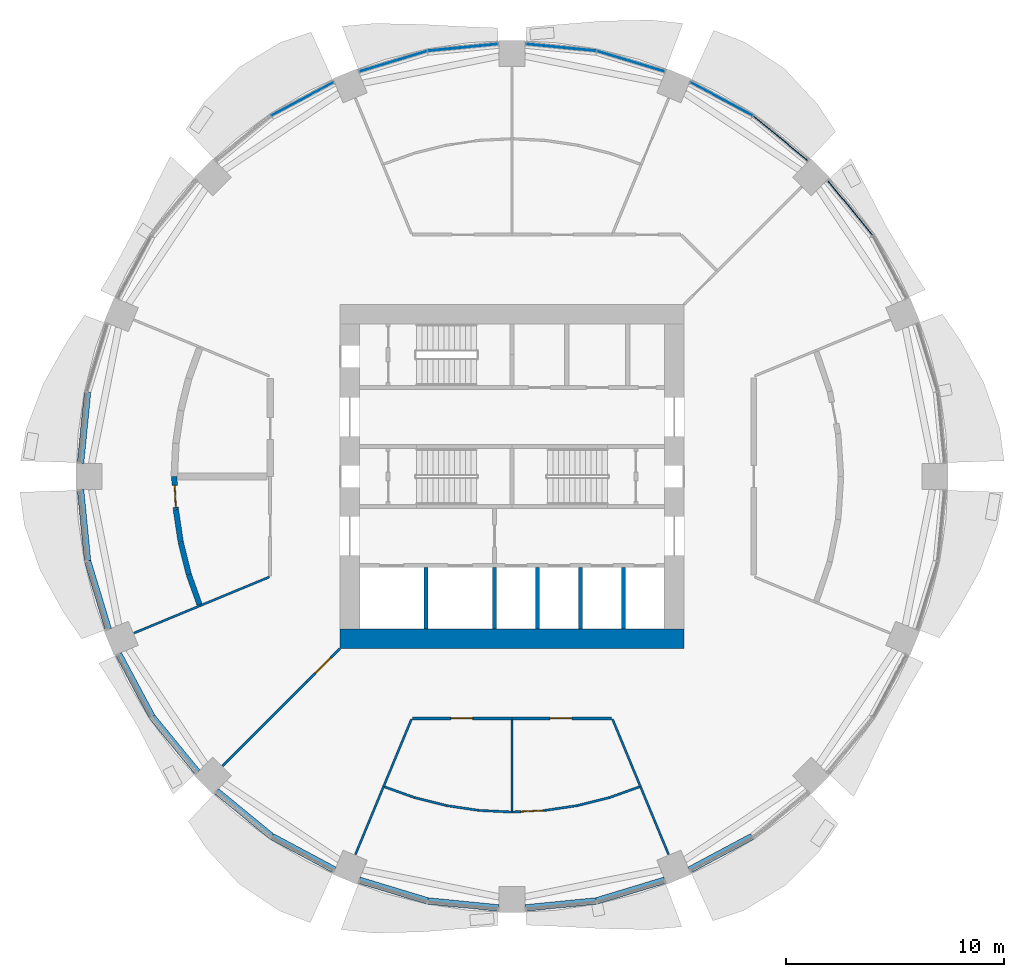
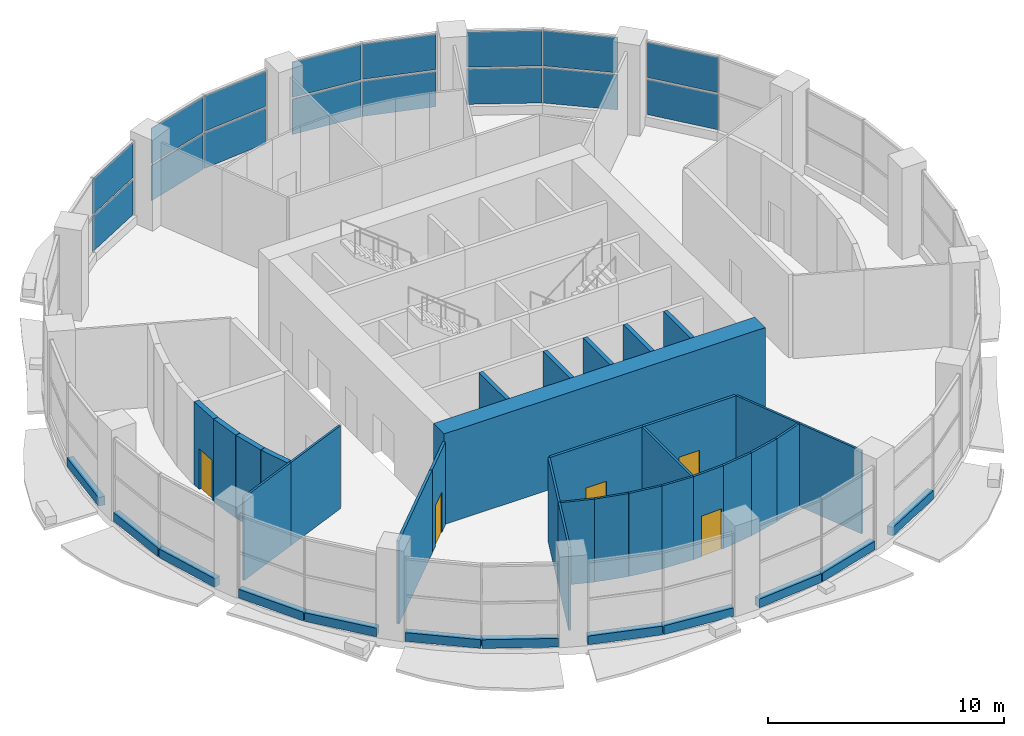
# One storey, part 7 of 14: 41 walls, 16 plates, 5 doors, 5 openings, 5 elements without a shape of their own.
"""IFC4 building model written with IfcOpenShell, lengths in metres."""

from ifc_helpers import new_model, si_unit, direction, frame, frame_2d, origin, origin_2d, place, context, subcontext, project, spatial, rectangle, extrude, material, layer, layer_set, type_object, element, fill, aggregate, save


model = new_model("IFC4")

# Units and contexts
model_context = context("Model", 3, precision=1e-05, world=origin(), true_north=direction((0.0, 1.0)))
body_context = subcontext(model_context, "Body", "Model", "MODEL_VIEW")
ifc_project = project(units=[si_unit("LENGTHUNIT", "METRE"), si_unit("AREAUNIT", "SQUARE_METRE"), si_unit("VOLUMEUNIT", "CUBIC_METRE"), si_unit("PLANEANGLEUNIT", "RADIAN"), si_unit("MASSUNIT", "GRAM", prefix="KILO")], contexts=[model_context])

# Site, building, storey
site_placement = place(None, origin())
site = spatial("IfcSite", under=ifc_project, at=site_placement, CompositionType="ELEMENT")
building_placement = place(site_placement, origin())
building = spatial("IfcBuilding", under=site, at=building_placement, Name="Polderwave Tower", CompositionType="ELEMENT")
storey_placement = place(building_placement, frame((0.0, 0.0, 5.199951171875)))
storey = spatial("IfcBuildingStorey", under=building, at=storey_placement, Name="L01", CompositionType="ELEMENT", Elevation=5.199951171875)

# Curtain wall, plates
ifc_material_1 = material(Name="Aluminium 6063-T6 and glass", Category="aluminium")
curtain_wall_type = type_object("IfcCurtainWallType", Name="Shopfront glazing wall", PredefinedType="NOTDEFINED", material=ifc_material_1)
curtain_wall_1_placement = place(storey_placement, origin())
curtain_wall_1 = element("IfcCurtainWall", 1, at=curtain_wall_1_placement, inside=storey, type_object=curtain_wall_type, Name="CW1 L01 01", PredefinedType="NOTDEFINED")
ifc_material_2 = material(Name="Glass, low-e laminated double glazing", Category="glass")
ifc_layer_1 = layer(ifc_material_2, 0.035888671875)
ifc_layer_set_1 = layer_set([ifc_layer_1], Name="Shopfront glazing glass panel 36 mm")
plate_type = type_object("IfcPlateType", Name="Shopfront glazing glass panel 36 mm", PredefinedType="CURTAIN_PANEL", material=ifc_layer_set_1)
plate_1_placement = place(storey_placement, frame((15.47900390625, 12.2939453125, 0.4501953125), z_axis=(0.0, 0.0, 1.0), x_axis=(-0.634395982475, 0.773008238908, 0.0)))
plate_1 = element("IfcPlate", 2, at=plate_1_placement, type_object=plate_type, Name="CW1 panel 3", PredefinedType="CURTAIN_PANEL", context=body_context, shape_type="SweptSolid", body=[
    extrude(rectangle(XDim=3.19970703125, YDim=0.035888671875, at=origin_2d()), origin(), (0.0, 0.0, 1.0), 1.824951171875),
])
plate_2_placement = place(storey_placement, frame((15.47900390625, 12.2939453125, 2.375), z_axis=(0.0, 0.0, 1.0), x_axis=(-0.634395982475, 0.773008238908, 0.0)))
plate_2 = element("IfcPlate", 3, at=plate_2_placement, type_object=plate_type, Name="CW1 panel 4", PredefinedType="CURTAIN_PANEL", context=body_context, shape_type="SweptSolid", body=[
    extrude(rectangle(XDim=3.19970703125, YDim=0.035888671875, at=origin_2d()), origin(), (0.0, 0.0, 1.0), 1.824951171875),
])
aggregate(curtain_wall_1, [plate_1, plate_2])

curtain_wall_2_placement = place(storey_placement, origin())
curtain_wall_2 = element("IfcCurtainWall", 4, at=curtain_wall_2_placement, inside=storey, type_object=curtain_wall_type, Name="CW1 L01 02", PredefinedType="NOTDEFINED")
plate_3_placement = place(storey_placement, frame((12.2939453125, 15.47900390625, 0.4501953125), z_axis=(0.0, 0.0, 1.0), x_axis=(-0.773008238908, 0.634395982475, 0.0)))
plate_3 = element("IfcPlate", 5, at=plate_3_placement, type_object=plate_type, Name="CW1 panel 1", PredefinedType="CURTAIN_PANEL", context=body_context, shape_type="SweptSolid", body=[
    extrude(rectangle(XDim=3.19970703125, YDim=0.035888671875, at=origin_2d()), origin(), (0.0, 0.0, 1.0), 1.824951171875),
])
plate_4_placement = place(storey_placement, frame((12.2939453125, 15.47900390625, 2.375), z_axis=(0.0, 0.0, 1.0), x_axis=(-0.773008238908, 0.634395982475, 0.0)))
plate_4 = element("IfcPlate", 6, at=plate_4_placement, type_object=plate_type, Name="CW1 panel 2", PredefinedType="CURTAIN_PANEL", context=body_context, shape_type="SweptSolid", body=[
    extrude(rectangle(XDim=3.19970703125, YDim=0.035888671875, at=origin_2d()), origin(), (0.0, 0.0, 1.0), 1.824951171875),
])
plate_5_placement = place(storey_placement, frame((9.59619140625, 17.281494140625, 0.4501953125), z_axis=(0.0, 0.0, 1.0), x_axis=(-0.881940186716, 0.471361333858, 0.0)))
plate_5 = element("IfcPlate", 7, at=plate_5_placement, type_object=plate_type, Name="CW1 panel 3", PredefinedType="CURTAIN_PANEL", context=body_context, shape_type="SweptSolid", body=[
    extrude(rectangle(XDim=3.200439453125, YDim=0.035888671875, at=origin_2d()), origin(), (0.0, 0.0, 1.0), 1.824951171875),
])
plate_6_placement = place(storey_placement, frame((9.59619140625, 17.281494140625, 2.375), z_axis=(0.0, 0.0, 1.0), x_axis=(-0.881940186716, 0.471361333858, 0.0)))
plate_6 = element("IfcPlate", 8, at=plate_6_placement, type_object=plate_type, Name="CW1 panel 4", PredefinedType="CURTAIN_PANEL", context=body_context, shape_type="SweptSolid", body=[
    extrude(rectangle(XDim=3.200439453125, YDim=0.035888671875, at=origin_2d()), origin(), (0.0, 0.0, 1.0), 1.824951171875),
])
aggregate(curtain_wall_2, [plate_3, plate_4, plate_5, plate_6])

curtain_wall_3_placement = place(storey_placement, origin())
curtain_wall_3 = element("IfcCurtainWall", 9, at=curtain_wall_3_placement, inside=storey, type_object=curtain_wall_type, Name="CW1 L01 03", PredefinedType="NOTDEFINED")
plate_7_placement = place(storey_placement, frame((5.43408203125, 19.0048828125, 0.4501953125), z_axis=(0.0, 0.0, 1.0), x_axis=(-0.956960599094, 0.290217869509, 0.0)))
plate_7 = element("IfcPlate", 10, at=plate_7_placement, type_object=plate_type, Name="CW1 panel 1", PredefinedType="CURTAIN_PANEL", context=body_context, shape_type="SweptSolid", body=[
    extrude(rectangle(XDim=3.20068359375, YDim=0.035888671875, at=origin_2d()), origin(), (0.0, 0.0, 1.0), 1.824951171875),
])
plate_8_placement = place(storey_placement, frame((5.43408203125, 19.0048828125, 2.375), z_axis=(0.0, 0.0, 1.0), x_axis=(-0.956960599094, 0.290217869509, 0.0)))
plate_8 = element("IfcPlate", 11, at=plate_8_placement, type_object=plate_type, Name="CW1 panel 2", PredefinedType="CURTAIN_PANEL", context=body_context, shape_type="SweptSolid", body=[
    extrude(rectangle(XDim=3.20068359375, YDim=0.035888671875, at=origin_2d()), origin(), (0.0, 0.0, 1.0), 1.824951171875),
])
plate_9_placement = place(storey_placement, frame((2.251953125, 19.637939453125, 0.4501953125), z_axis=(0.0, 0.0, 1.0), x_axis=(-0.99516880385, 0.098178673064, 0.0)))
plate_9 = element("IfcPlate", 12, at=plate_9_placement, type_object=plate_type, Name="CW1 panel 3", PredefinedType="CURTAIN_PANEL", context=body_context, shape_type="SweptSolid", body=[
    extrude(rectangle(XDim=3.199951171875, YDim=0.035888671875, at=origin_2d()), origin(), (0.0, 0.0, 1.0), 1.824951171875),
])
plate_10_placement = place(storey_placement, frame((2.251953125, 19.637939453125, 2.375), z_axis=(0.0, 0.0, 1.0), x_axis=(-0.99516880385, 0.098178673064, 0.0)))
plate_10 = element("IfcPlate", 13, at=plate_10_placement, type_object=plate_type, Name="CW1 panel 4", PredefinedType="CURTAIN_PANEL", context=body_context, shape_type="SweptSolid", body=[
    extrude(rectangle(XDim=3.199951171875, YDim=0.035888671875, at=origin_2d()), origin(), (0.0, 0.0, 1.0), 1.824951171875),
])
aggregate(curtain_wall_3, [plate_7, plate_8, plate_9, plate_10])

curtain_wall_4_placement = place(storey_placement, origin())
curtain_wall_4 = element("IfcCurtainWall", 14, at=curtain_wall_4_placement, inside=storey, type_object=curtain_wall_type, Name="CW1 L01 04", PredefinedType="NOTDEFINED")
plate_11_placement = place(storey_placement, frame((-2.251953125, 19.637939453125, 0.4501953125), z_axis=(0.0, 0.0, 1.0), x_axis=(-0.99516880385, -0.098178673064, 0.0)))
plate_11 = element("IfcPlate", 15, at=plate_11_placement, type_object=plate_type, Name="CW1 panel 1", PredefinedType="CURTAIN_PANEL", context=body_context, shape_type="SweptSolid", body=[
    extrude(rectangle(XDim=3.199951171875, YDim=0.035888671875, at=origin_2d()), origin(), (0.0, 0.0, 1.0), 1.824951171875),
])
plate_12_placement = place(storey_placement, frame((-2.251953125, 19.637939453125, 2.375), z_axis=(0.0, 0.0, 1.0), x_axis=(-0.99516880385, -0.098178673064, 0.0)))
plate_12 = element("IfcPlate", 16, at=plate_12_placement, type_object=plate_type, Name="CW1 panel 2", PredefinedType="CURTAIN_PANEL", context=body_context, shape_type="SweptSolid", body=[
    extrude(rectangle(XDim=3.199951171875, YDim=0.035888671875, at=origin_2d()), origin(), (0.0, 0.0, 1.0), 1.824951171875),
])
plate_13_placement = place(storey_placement, frame((-5.43408203125, 19.0048828125, 0.4501953125), z_axis=(0.0, 0.0, 1.0), x_axis=(-0.956960599094, -0.290217869509, 0.0)))
plate_13 = element("IfcPlate", 17, at=plate_13_placement, type_object=plate_type, Name="CW1 panel 3", PredefinedType="CURTAIN_PANEL", context=body_context, shape_type="SweptSolid", body=[
    extrude(rectangle(XDim=3.20068359375, YDim=0.035888671875, at=origin_2d()), origin(), (0.0, 0.0, 1.0), 1.824951171875),
])
plate_14_placement = place(storey_placement, frame((-5.43408203125, 19.0048828125, 2.375), z_axis=(0.0, 0.0, 1.0), x_axis=(-0.956960599094, -0.290217869509, 0.0)))
plate_14 = element("IfcPlate", 18, at=plate_14_placement, type_object=plate_type, Name="CW1 panel 4", PredefinedType="CURTAIN_PANEL", context=body_context, shape_type="SweptSolid", body=[
    extrude(rectangle(XDim=3.20068359375, YDim=0.035888671875, at=origin_2d()), origin(), (0.0, 0.0, 1.0), 1.824951171875),
])
aggregate(curtain_wall_4, [plate_11, plate_12, plate_13, plate_14])

curtain_wall_5_placement = place(storey_placement, origin())
curtain_wall_5 = element("IfcCurtainWall", 19, at=curtain_wall_5_placement, inside=storey, type_object=curtain_wall_type, Name="CW1 L01 05", PredefinedType="NOTDEFINED")
plate_15_placement = place(storey_placement, frame((-9.59619140625, 17.281494140625, 0.4501953125), z_axis=(0.0, 0.0, 1.0), x_axis=(-0.881940186716, -0.471361333858, 0.0)))
plate_15 = element("IfcPlate", 20, at=plate_15_placement, type_object=plate_type, Name="CW1 panel 1", PredefinedType="CURTAIN_PANEL", context=body_context, shape_type="SweptSolid", body=[
    extrude(rectangle(XDim=3.200439453125, YDim=0.035888671875, at=origin_2d()), origin(), (0.0, 0.0, 1.0), 1.824951171875),
])
plate_16_placement = place(storey_placement, frame((-9.59619140625, 17.281494140625, 2.375), z_axis=(0.0, 0.0, 1.0), x_axis=(-0.881940186716, -0.471361333858, 0.0)))
plate_16 = element("IfcPlate", 21, at=plate_16_placement, type_object=plate_type, Name="CW1 panel 2", PredefinedType="CURTAIN_PANEL", context=body_context, shape_type="SweptSolid", body=[
    extrude(rectangle(XDim=3.200439453125, YDim=0.035888671875, at=origin_2d()), origin(), (0.0, 0.0, 1.0), 1.824951171875),
])
aggregate(curtain_wall_5, [plate_15, plate_16])

# Walls
ifc_material_3 = material(Name="Concrete C80/95", Category="concrete")
ifc_layer_2 = layer(ifc_material_3, 0.89990234375)
ifc_layer_set_2 = layer_set([ifc_layer_2], Name="CORE WALL 900 C80/95")
wall_type_1 = type_object("IfcWallType", Name="CORE WALL 900 C80/95", PredefinedType="SHEAR", material=ifc_layer_set_2)
wall_1_placement = place(storey_placement, frame((-7.8740234375, -7.424072265625, 0.0), z_axis=(0.0, 0.0, 1.0), x_axis=(1.0, 0.0, 0.0)))
element("IfcWall", 22, at=wall_1_placement, inside=storey, type_object=wall_type_1, Name="ST-CORE-L01-S", PredefinedType="SHEAR", context=body_context, shape_type="SweptSolid", body=[
    extrude(rectangle(XDim=15.748046875, YDim=0.89990234375, at=frame_2d((7.8740234375, 0.0))), origin(), (0.0, 0.0, 1.0), 4.699951171875),
])
ifc_material_4 = material(Name="Concrete C50/60 (board-marked)", Category="concrete")
ifc_layer_3 = layer(ifc_material_4, 0.300048828125)
ifc_layer_set_3 = layer_set([ifc_layer_3], Name="Concrete spandrel upstand C50/60")
wall_type_2 = type_object("IfcWallType", Name="Concrete spandrel upstand C50/60", PredefinedType="SOLIDWALL", material=ifc_layer_set_3)
for number, where, z_axis, x_axis, name in (
    (23, (-19.430419921875, 3.84912109375, 0.0), (0.0, 0.0, 1.0), (-0.098121081057, -0.995174483923, 0.0), "Spandrel L01 8b"),
    (24, (-19.74951171875, -0.61279296875, 0.0), (0.0, 0.0, 1.0), (0.098121081057, -0.995174483923, 0.0), "Spandrel L01 9a"),
):
    element("IfcWall", number, at=place(storey_placement, frame(where, z_axis=z_axis, x_axis=x_axis)), inside=storey, type_object=wall_type_2, Name=name, PredefinedType="SOLIDWALL", context=body_context, shape_type="SweptSolid", body=[
        extrude(rectangle(XDim=3.251953125, YDim=0.300048828125, at=frame_2d((1.6259765625, 0.0))), origin(), (0.0, 0.0, 1.0), 0.449951171875),
    ])
wall_2_placement = place(storey_placement, frame((-19.424560546875, -3.87841796875, 0.0), z_axis=(0.0, 0.0, 1.0), x_axis=(0.290301164038, -0.956935334366, 0.0)))
element("IfcWall", 25, at=wall_2_placement, inside=storey, type_object=wall_type_2, Name="Spandrel L01 9b", PredefinedType="SOLIDWALL", context=body_context, shape_type="SweptSolid", body=[
    extrude(rectangle(XDim=3.252197265625, YDim=0.300048828125, at=frame_2d((1.6259765625, 0.0))), origin(), (0.0, 0.0, 1.0), 0.449951171875),
])
wall_3_placement = place(storey_placement, frame((-18.010986328125, -8.124267578125, 0.0), z_axis=(0.0, 0.0, 1.0), x_axis=(0.471308820961, -0.881968250723, 0.0)))
element("IfcWall", 26, at=wall_3_placement, inside=storey, type_object=wall_type_2, Name="Spandrel L01 10a", PredefinedType="SOLIDWALL", context=body_context, shape_type="SweptSolid", body=[
    extrude(rectangle(XDim=3.25244140625, YDim=0.300048828125, at=frame_2d((1.626220703125, 0.0))), origin(), (0.0, 0.0, 1.0), 0.449951171875),
])
for number, where, z_axis, x_axis, name in (
    (27, (-16.46142578125, -11.017578125, 0.0), (0.0, 0.0, 1.0), (0.634190031119, -0.773177214117, 0.0), "Spandrel L01 10b"),
    (28, (-13.531494140625, -14.3994140625, 0.0), (0.0, 0.0, 1.0), (0.773177214117, -0.634190031119, 0.0), "Spandrel L01 11a"),
):
    element("IfcWall", number, at=place(storey_placement, frame(where, z_axis=z_axis, x_axis=x_axis)), inside=storey, type_object=wall_type_2, Name=name, PredefinedType="SOLIDWALL", context=body_context, shape_type="SweptSolid", body=[
        extrude(rectangle(XDim=3.25146484375, YDim=0.300048828125, at=frame_2d((1.625732421875, 0.0))), origin(), (0.0, 0.0, 1.0), 0.449951171875),
    ])
wall_4_placement = place(storey_placement, frame((-10.992919921875, -16.47802734375, 0.0), z_axis=(0.0, 0.0, 1.0), x_axis=(0.881968250723, -0.471308820961, 0.0)))
element("IfcWall", 29, at=wall_4_placement, inside=storey, type_object=wall_type_2, Name="Spandrel L01 11b", PredefinedType="SOLIDWALL", context=body_context, shape_type="SweptSolid", body=[
    extrude(rectangle(XDim=3.25244140625, YDim=0.300048828125, at=frame_2d((1.626220703125, 0.0))), origin(), (0.0, 0.0, 1.0), 0.449951171875),
])
wall_5_placement = place(storey_placement, frame((-6.990478515625, -18.48046875, 0.0), z_axis=(0.0, 0.0, 1.0), x_axis=(0.956935334366, -0.290301164038, 0.0)))
element("IfcWall", 30, at=wall_5_placement, inside=storey, type_object=wall_type_2, Name="Spandrel L01 12a", PredefinedType="SOLIDWALL", context=body_context, shape_type="SweptSolid", body=[
    extrude(rectangle(XDim=3.252197265625, YDim=0.300048828125, at=frame_2d((1.6259765625, 0.0))), origin(), (0.0, 0.0, 1.0), 0.449951171875),
])
for number, where, z_axis, x_axis, name in (
    (31, (-3.84912109375, -19.430419921875, 0.0), (0.0, 0.0, 1.0), (0.995174483923, -0.098121081057, 0.0), "Spandrel L01 12b"),
    (32, (0.61279296875, -19.74951171875, 0.0), (0.0, 0.0, 1.0), (0.995174483923, 0.098121081057, 0.0), "Spandrel L01 13a"),
):
    element("IfcWall", number, at=place(storey_placement, frame(where, z_axis=z_axis, x_axis=x_axis)), inside=storey, type_object=wall_type_2, Name=name, PredefinedType="SOLIDWALL", context=body_context, shape_type="SweptSolid", body=[
        extrude(rectangle(XDim=3.251953125, YDim=0.300048828125, at=frame_2d((1.6259765625, 0.0))), origin(), (0.0, 0.0, 1.0), 0.449951171875),
    ])
wall_6_placement = place(storey_placement, frame((3.87841796875, -19.424560546875, 0.0), z_axis=(0.0, 0.0, 1.0), x_axis=(0.956935334366, 0.290301164038, 0.0)))
element("IfcWall", 33, at=wall_6_placement, inside=storey, type_object=wall_type_2, Name="Spandrel L01 13b", PredefinedType="SOLIDWALL", context=body_context, shape_type="SweptSolid", body=[
    extrude(rectangle(XDim=3.252197265625, YDim=0.300048828125, at=frame_2d((1.6259765625, 0.0))), origin(), (0.0, 0.0, 1.0), 0.449951171875),
])
wall_7_placement = place(storey_placement, frame((8.124267578125, -18.010986328125, 0.0), z_axis=(0.0, 0.0, 1.0), x_axis=(0.881968250723, 0.471308820961, 0.0)))
element("IfcWall", 34, at=wall_7_placement, inside=storey, type_object=wall_type_2, Name="Spandrel L01 14a", PredefinedType="SOLIDWALL", context=body_context, shape_type="SweptSolid", body=[
    extrude(rectangle(XDim=3.25244140625, YDim=0.300048828125, at=frame_2d((1.626220703125, 0.0))), origin(), (0.0, 0.0, 1.0), 0.449951171875),
])

# Wall, opening, door
ifc_material_5 = material(Name="Fire-resisting board on steel studs", Category="steel")
ifc_layer_4 = layer(ifc_material_5, 0.125)
ifc_layer_set_4 = layer_set([ifc_layer_4], Name="Corridor wall 125 mm EI 60")
wall_type_3 = type_object("IfcWallType", Name="Corridor wall 125 mm EI 60", PredefinedType="PARTITIONING", material=ifc_layer_set_4)
wall_8_placement = place(storey_placement, frame((-7.8740234375, -7.8740234375, 0.0), z_axis=(0.0, 0.0, 1.0), x_axis=(-0.707106781187, -0.707106781187, 0.0)))
wall_8 = element("IfcWall", 35, at=wall_8_placement, inside=storey, type_object=wall_type_3, Name="IN-L01-W007", PredefinedType="PARTITIONING", context=body_context, shape_type="SweptSolid", body=[
    extrude(rectangle(XDim=2.16455078125, YDim=0.125, at=frame_2d((1.082275390625, 0.0))), origin(), (0.0, 0.0, 1.0), 4.300048828125),
])
opening_1_placement = place(wall_8_placement, frame((0.60009765625, 0.0, 0.0)))
opening_1 = element("IfcOpeningElement", 36, at=opening_1_placement, cuts=wall_8, Name="Opening L01-D55", PredefinedType="OPENING", context=body_context, shape_type="SweptSolid", body=[
    extrude(rectangle(XDim=1.0, YDim=2.10009765625, at=frame_2d((0.5, 1.050048828125))), frame((0.0, 0.072509765625, 0.0), z_axis=(0.0, -1.0, 0.0), x_axis=(1.0, 0.0, 0.0)), (0.0, 0.0, 1.0), 0.14501953125),
])
ifc_material_6 = material(Name="Timber fire door leaf", Category="wood")
door_type_1 = type_object("IfcDoorType", Name="Fire door FD30S 1000 x 2100", OperationType="NOTDEFINED", PredefinedType="DOOR", material=ifc_material_6)
door_1_placement = place(opening_1_placement, origin())
door_1 = element("IfcDoor", 37, at=door_1_placement, inside=storey, type_object=door_type_1, Name="Door L01-D55", OperationType="SINGLE_SWING_RIGHT", OverallHeight=2.10009765625, OverallWidth=1.0, PredefinedType="DOOR", context=body_context, shape_type="SweptSolid", body=[
    extrude(rectangle(XDim=1.0, YDim=2.10009765625, at=frame_2d((0.5, 1.050048828125))), frame((0.0, 0.02490234375, 0.0), z_axis=(0.0, -1.0, 0.0), x_axis=(1.0, 0.0, 0.0)), (0.0, 0.0, 1.0), 0.050048828125),
])
fill(opening_1, door_1)

wall_9_placement = place(storey_placement, frame((0.0, -11.073974609375, 0.0), z_axis=(0.0, 0.0, 1.0), x_axis=(-1.0, 0.0, 0.0)))
wall_9 = element("IfcWall", 38, at=wall_9_placement, inside=storey, type_object=wall_type_3, Name="IN-L01-W010", PredefinedType="PARTITIONING", context=body_context, shape_type="SweptSolid", body=[
    extrude(rectangle(XDim=4.545166015625, YDim=0.125, at=frame_2d((2.2724609375, 0.0))), origin(), (0.0, 0.0, 1.0), 4.300048828125),
])
opening_2_placement = place(wall_9_placement, frame((1.800048828125, 0.0, 0.0)))
opening_2 = element("IfcOpeningElement", 39, at=opening_2_placement, cuts=wall_9, Name="Opening L01-D58", PredefinedType="OPENING", context=body_context, shape_type="SweptSolid", body=[
    extrude(rectangle(XDim=1.0, YDim=2.10009765625, at=frame_2d((0.5, 1.050048828125))), frame((0.0, 0.072509765625, 0.0), z_axis=(0.0, -1.0, 0.0), x_axis=(1.0, 0.0, 0.0)), (0.0, 0.0, 1.0), 0.14501953125),
])
door_2_placement = place(opening_2_placement, origin())
door_2 = element("IfcDoor", 40, at=door_2_placement, inside=storey, type_object=door_type_1, Name="Door L01-D58", OperationType="SINGLE_SWING_RIGHT", OverallHeight=2.10009765625, OverallWidth=1.0, PredefinedType="DOOR", context=body_context, shape_type="SweptSolid", body=[
    extrude(rectangle(XDim=1.0, YDim=2.10009765625, at=frame_2d((0.5, 1.050048828125))), frame((0.0, 0.02490234375, 0.0), z_axis=(0.0, -1.0, 0.0), x_axis=(1.0, 0.0, 0.0)), (0.0, 0.0, 1.0), 0.050048828125),
])
fill(opening_2, door_2)

wall_10_placement = place(storey_placement, frame((4.545166015625, -11.073974609375, 0.0), z_axis=(0.0, 0.0, 1.0), x_axis=(-1.0, 0.0, 0.0)))
wall_10 = element("IfcWall", 41, at=wall_10_placement, inside=storey, type_object=wall_type_3, Name="IN-L01-W011", PredefinedType="PARTITIONING", context=body_context, shape_type="SweptSolid", body=[
    extrude(rectangle(XDim=4.545166015625, YDim=0.125, at=frame_2d((2.2724609375, 0.0))), origin(), (0.0, 0.0, 1.0), 4.300048828125),
])
opening_3_placement = place(wall_10_placement, frame((1.800048828125, 0.0, 0.0)))
opening_3 = element("IfcOpeningElement", 42, at=opening_3_placement, cuts=wall_10, Name="Opening L01-D59", PredefinedType="OPENING", context=body_context, shape_type="SweptSolid", body=[
    extrude(rectangle(XDim=1.0, YDim=2.10009765625, at=frame_2d((0.5, 1.050048828125))), frame((0.0, 0.072509765625, 0.0), z_axis=(0.0, -1.0, 0.0), x_axis=(1.0, 0.0, 0.0)), (0.0, 0.0, 1.0), 0.14501953125),
])
door_3_placement = place(opening_3_placement, origin())
door_3 = element("IfcDoor", 43, at=door_3_placement, inside=storey, type_object=door_type_1, Name="Door L01-D59", OperationType="SINGLE_SWING_RIGHT", OverallHeight=2.10009765625, OverallWidth=1.0, PredefinedType="DOOR", context=body_context, shape_type="SweptSolid", body=[
    extrude(rectangle(XDim=1.0, YDim=2.10009765625, at=frame_2d((0.5, 1.050048828125))), frame((0.0, 0.02490234375, 0.0), z_axis=(0.0, -1.0, 0.0), x_axis=(1.0, 0.0, 0.0)), (0.0, 0.0, 1.0), 0.050048828125),
])
fill(opening_3, door_3)

# Walls
wall_11_placement = place(storey_placement, frame((-9.404541015625, -9.404541015625, 0.0), z_axis=(0.0, 0.0, 1.0), x_axis=(-0.707106781187, -0.707106781187, 0.0)))
element("IfcWall", 44, at=wall_11_placement, inside=storey, type_object=wall_type_3, Name="IN-L01-W050", PredefinedType="PARTITIONING", context=body_context, shape_type="SweptSolid", body=[
    extrude(rectangle(XDim=5.429931640625, YDim=0.125, at=frame_2d((2.71484375, 0.0))), origin(), (0.0, 0.0, 1.0), 4.300048828125),
])
ifc_material_7 = material(Name="Plasterboard on steel studs", Category="steel")
ifc_layer_5 = layer(ifc_material_7, 0.10009765625)
ifc_layer_set_5 = layer_set([ifc_layer_5], Name="Partition 100 mm plasterboard on steel studs")
wall_type_4 = type_object("IfcWallType", Name="Partition 100 mm plasterboard on steel studs", PredefinedType="PARTITIONING", material=ifc_layer_set_5)
wall_12_placement = place(storey_placement, frame((-11.10498046875, -4.599853515625, 0.0), z_axis=(0.0, 0.0, 1.0), x_axis=(-0.92388535755, -0.382669369174, 0.0)))
element("IfcWall", 45, at=wall_12_placement, inside=storey, type_object=wall_type_4, Name="IN-L01-W048", PredefinedType="PARTITIONING", context=body_context, shape_type="SweptSolid", body=[
    extrude(rectangle(XDim=3.43994140625, YDim=0.10009765625, at=frame_2d((1.719970703125, 0.0))), origin(), (0.0, 0.0, 1.0), 4.300048828125),
])
wall_13_placement = place(storey_placement, frame((-14.283203125, -5.916259765625, 0.0), z_axis=(0.0, 0.0, 1.0), x_axis=(-0.923865769093, -0.382716658507, 0.0)))
element("IfcWall", 46, at=wall_13_placement, inside=storey, type_object=wall_type_4, Name="IN-L01-W049", PredefinedType="PARTITIONING", context=body_context, shape_type="SweptSolid", body=[
    extrude(rectangle(XDim=3.27001953125, YDim=0.10009765625, at=frame_2d((1.635009765625, 0.0))), origin(), (0.0, 0.0, 1.0), 4.300048828125),
])
wall_14_placement = place(storey_placement, frame((-4.599853515625, -11.10498046875, 0.0), z_axis=(0.0, 0.0, 1.0), x_axis=(-0.382642291007, -0.923896572747, 0.0)))
element("IfcWall", 47, at=wall_14_placement, inside=storey, type_object=wall_type_4, Name="IN-L01-W051", PredefinedType="PARTITIONING", context=body_context, shape_type="SweptSolid", body=[
    extrude(rectangle(XDim=3.340087890625, YDim=0.10009765625, at=frame_2d((1.669921875, 0.0))), origin(), (0.0, 0.0, 1.0), 4.300048828125),
])
for number, where, z_axis, x_axis, name in (
    (48, (-5.8779296875, -14.19091796875, 0.0), (0.0, 0.0, 1.0), (-0.382742094492, -0.923855231681, 0.0), "IN-L01-W052"),
    (49, (5.8779296875, -14.19091796875, 0.0), (0.0, 0.0, 1.0), (0.382742094492, -0.923855231681, 0.0), "IN-L01-W062"),
):
    element("IfcWall", number, at=place(storey_placement, frame(where, z_axis=z_axis, x_axis=x_axis)), inside=storey, type_object=wall_type_4, Name=name, PredefinedType="PARTITIONING", context=body_context, shape_type="SweptSolid", body=[
        extrude(rectangle(XDim=3.369873046875, YDim=0.10009765625, at=frame_2d((1.68505859375, 0.0))), origin(), (0.0, 0.0, 1.0), 4.300048828125),
    ])
wall_15_placement = place(storey_placement, frame((4.599853515625, -11.10498046875, 0.0), z_axis=(0.0, 0.0, 1.0), x_axis=(0.382642291007, -0.923896572747, 0.0)))
element("IfcWall", 50, at=wall_15_placement, inside=storey, type_object=wall_type_4, Name="IN-L01-W063", PredefinedType="PARTITIONING", context=body_context, shape_type="SweptSolid", body=[
    extrude(rectangle(XDim=3.340087890625, YDim=0.10009765625, at=frame_2d((1.669921875, 0.0))), origin(), (0.0, 0.0, 1.0), 4.300048828125),
])
ifc_material_8 = material(Name="Moisture-resistant board on steel studs, tiled", Category="steel")
ifc_layer_6 = layer(ifc_material_8, 0.10498046875)
ifc_layer_set_6 = layer_set([ifc_layer_6], Name="Partition 105 mm wet room board and tile")
wall_type_5 = type_object("IfcWallType", Name="Partition 105 mm wet room board and tile", PredefinedType="PARTITIONING", material=ifc_layer_set_6)
wall_16_placement = place(storey_placement, frame((-4.461181640625, -14.69775390625, 0.0), z_axis=(0.0, 0.0, 1.0), x_axis=(-0.941528707174, 0.336932773067, 0.0)))
element("IfcWall", 51, at=wall_16_placement, inside=storey, type_object=wall_type_5, Name="IN-L01-W053", PredefinedType="PARTITIONING", context=body_context, shape_type="SweptSolid", body=[
    extrude(rectangle(XDim=1.4521484375, YDim=0.10498046875, at=frame_2d((0.72607421875, 0.0))), origin(), (0.0, 0.0, 1.0), 4.300048828125),
])
for number, where, z_axis, x_axis, name in (
    (52, (-2.9990234375, -15.064208984375, 0.0), (0.0, 0.0, 1.0), (-0.9700372538, 0.24295622289, 0.0), "IN-L01-W054"),
    (53, (-1.508056640625, -15.28564453125, 0.0), (0.0, 0.0, 1.0), (-0.989171150063, 0.146766603435, 0.0), "IN-L01-W055"),
):
    element("IfcWall", number, at=place(storey_placement, frame(where, z_axis=z_axis, x_axis=x_axis)), inside=storey, type_object=wall_type_5, Name=name, PredefinedType="PARTITIONING", context=body_context, shape_type="SweptSolid", body=[
        extrude(rectangle(XDim=1.502197265625, YDim=0.10498046875, at=frame_2d((0.7509765625, 0.0))), origin(), (0.0, 0.0, 1.0), 4.300048828125),
    ])
wall_17_placement = place(storey_placement, frame((0.0, -15.360107421875, 0.0), z_axis=(0.0, 0.0, 1.0), x_axis=(-0.998790878869, 0.049160759632, 0.0)))
element("IfcWall", 54, at=wall_17_placement, inside=storey, type_object=wall_type_5, Name="IN-L01-W056", PredefinedType="PARTITIONING", context=body_context, shape_type="SweptSolid", body=[
    extrude(rectangle(XDim=1.504638671875, YDim=0.10498046875, at=frame_2d((0.75244140625, 0.0))), origin(), (0.0, 0.0, 1.0), 4.300048828125),
])
wall_18_placement = place(storey_placement, frame((0.0, -11.136474609375, 0.0), z_axis=(0.0, 0.0, 1.0), x_axis=(0.0, -1.0, 0.0)))
element("IfcWall", 55, at=wall_18_placement, inside=storey, type_object=wall_type_5, Name="IN-L01-W057", PredefinedType="PARTITIONING", context=body_context, shape_type="SweptSolid", body=[
    extrude(rectangle(XDim=4.16845703125, YDim=0.10498046875, at=frame_2d((2.084228515625, 0.0))), origin(), (0.0, 0.0, 1.0), 4.300048828125),
])

# Wall, opening, door
wall_19_placement = place(storey_placement, frame((1.5029296875, -15.2861328125, 0.0), z_axis=(0.0, 0.0, 1.0), x_axis=(-0.998790878869, -0.049160759632, 0.0)))
wall_19 = element("IfcWall", 56, at=wall_19_placement, inside=storey, type_object=wall_type_5, Name="IN-L01-W058", PredefinedType="PARTITIONING", context=body_context, shape_type="SweptSolid", body=[
    extrude(rectangle(XDim=1.504638671875, YDim=0.10498046875, at=frame_2d((0.75244140625, 0.0))), origin(), (0.0, 0.0, 1.0), 4.300048828125),
])
opening_4_placement = place(wall_19_placement, frame((0.10009765625, 0.0, 0.0)))
opening_4 = element("IfcOpeningElement", 57, at=opening_4_placement, cuts=wall_19, Name="Opening L01-D64", PredefinedType="OPENING", context=body_context, shape_type="SweptSolid", body=[
    extrude(rectangle(XDim=1.0, YDim=2.10009765625, at=frame_2d((0.5, 1.050048828125))), frame((0.0, 0.0625, 0.0), z_axis=(0.0, -1.0, 0.0), x_axis=(1.0, 0.0, 0.0)), (0.0, 0.0, 1.0), 0.125),
])
ifc_material_9 = material(Name="Timber veneer door leaf", Category="wood")
door_type_2 = type_object("IfcDoorType", Name="Single door 1000 x 2100", OperationType="NOTDEFINED", PredefinedType="DOOR", material=ifc_material_9)
door_4_placement = place(opening_4_placement, origin())
door_4 = element("IfcDoor", 58, at=door_4_placement, inside=storey, type_object=door_type_2, Name="Door L01-D64", OperationType="SINGLE_SWING_LEFT", OverallHeight=2.10009765625, OverallWidth=1.0, PredefinedType="DOOR", context=body_context, shape_type="SweptSolid", body=[
    extrude(rectangle(XDim=1.0, YDim=2.10009765625, at=frame_2d((0.5, 1.050048828125))), frame((0.0, 0.02490234375, 0.0), z_axis=(0.0, -1.0, 0.0), x_axis=(1.0, 0.0, 0.0)), (0.0, 0.0, 1.0), 0.050048828125),
])
fill(opening_4, door_4)

# Walls
for number, where, z_axis, x_axis, name in (
    (59, (1.508056640625, -15.28564453125, 0.0), (0.0, 0.0, 1.0), (0.989171150063, 0.146766603435, 0.0), "IN-L01-W059"),
    (60, (2.9990234375, -15.064208984375, 0.0), (0.0, 0.0, 1.0), (0.9700372538, 0.24295622289, 0.0), "IN-L01-W060"),
):
    element("IfcWall", number, at=place(storey_placement, frame(where, z_axis=z_axis, x_axis=x_axis)), inside=storey, type_object=wall_type_5, Name=name, PredefinedType="PARTITIONING", context=body_context, shape_type="SweptSolid", body=[
        extrude(rectangle(XDim=1.502197265625, YDim=0.10498046875, at=frame_2d((0.7509765625, 0.0))), origin(), (0.0, 0.0, 1.0), 4.300048828125),
    ])
wall_20_placement = place(storey_placement, frame((4.461181640625, -14.69775390625, 0.0), z_axis=(0.0, 0.0, 1.0), x_axis=(0.941528707174, 0.336932773067, 0.0)))
element("IfcWall", 61, at=wall_20_placement, inside=storey, type_object=wall_type_5, Name="IN-L01-W061", PredefinedType="PARTITIONING", context=body_context, shape_type="SweptSolid", body=[
    extrude(rectangle(XDim=1.4521484375, YDim=0.10498046875, at=frame_2d((0.72607421875, 0.0))), origin(), (0.0, 0.0, 1.0), 4.300048828125),
])

# Wall, opening, door
ifc_material_10 = material(Name="Fire-resisting board on steel studs, mineral wool", Category="steel")
ifc_layer_7 = layer(ifc_material_10, 0.25)
ifc_layer_set_7 = layer_set([ifc_layer_7], Name="Plant room wall 250 mm EI 120")
wall_type_6 = type_object("IfcWallType", Name="Plant room wall 250 mm EI 120", PredefinedType="PARTITIONING", material=ifc_layer_set_7)
wall_21_placement = place(storey_placement, frame((-15.385986328125, -1.50927734375, 0.0), z_axis=(0.0, 0.0, 1.0), x_axis=(-0.048954497891, 0.998801009779, 0.0)))
wall_21 = element("IfcWall", 62, at=wall_21_placement, inside=storey, type_object=wall_type_6, Name="IN-L01-W044", PredefinedType="PARTITIONING", context=body_context, shape_type="SweptSolid", body=[
    extrude(rectangle(XDim=1.510986328125, YDim=0.25, at=frame_2d((0.75537109375, 0.0))), origin(), (0.0, 0.0, 1.0), 4.300048828125),
])
opening_5_placement = place(wall_21_placement, frame((0.10009765625, 0.0, 0.0)))
opening_5 = element("IfcOpeningElement", 63, at=opening_5_placement, cuts=wall_21, Name="Opening L01-D63", PredefinedType="OPENING", context=body_context, shape_type="SweptSolid", body=[
    extrude(rectangle(XDim=1.0, YDim=2.10009765625, at=frame_2d((0.5, 1.050048828125))), frame((0.0, 0.135009765625, 0.0), z_axis=(0.0, -1.0, 0.0), x_axis=(1.0, 0.0, 0.0)), (0.0, 0.0, 1.0), 0.27001953125),
])
ifc_material_11 = material(Name="Steel plant door leaf", Category="steel")
door_type_3 = type_object("IfcDoorType", Name="Plant door FD60 1000 x 2100 steel", OperationType="NOTDEFINED", PredefinedType="DOOR", material=ifc_material_11)
door_5_placement = place(opening_5_placement, origin())
door_5 = element("IfcDoor", 64, at=door_5_placement, inside=storey, type_object=door_type_3, Name="Door L01-D63", OperationType="SINGLE_SWING_LEFT", OverallHeight=2.10009765625, OverallWidth=1.0, PredefinedType="DOOR", context=body_context, shape_type="SweptSolid", body=[
    extrude(rectangle(XDim=1.0, YDim=2.10009765625, at=frame_2d((0.5, 1.050048828125))), frame((0.0, 0.02490234375, 0.0), z_axis=(0.0, -1.0, 0.0), x_axis=(1.0, 0.0, 0.0)), (0.0, 0.0, 1.0), 0.050048828125),
])
fill(opening_5, door_5)

# Walls
wall_22_placement = place(storey_placement, frame((-15.163818359375, -3.010009765625, 0.0), z_axis=(0.0, 0.0, 1.0), x_axis=(-0.146825003666, 0.989162483265, 0.0)))
element("IfcWall", 65, at=wall_22_placement, inside=storey, type_object=wall_type_6, Name="IN-L01-W045", PredefinedType="PARTITIONING", context=body_context, shape_type="SweptSolid", body=[
    extrude(rectangle(XDim=1.5048828125, YDim=0.25, at=frame_2d((0.75244140625, 0.0))), origin(), (0.0, 0.0, 1.0), 4.300048828125),
])
wall_23_placement = place(storey_placement, frame((-14.7958984375, -4.481689453125, 0.0), z_axis=(0.0, 0.0, 1.0), x_axis=(-0.242917416803, 0.970046972375, 0.0)))
element("IfcWall", 66, at=wall_23_placement, inside=storey, type_object=wall_type_6, Name="IN-L01-W046", PredefinedType="PARTITIONING", context=body_context, shape_type="SweptSolid", body=[
    extrude(rectangle(XDim=1.504638671875, YDim=0.25, at=frame_2d((0.75244140625, 0.0))), origin(), (0.0, 0.0, 1.0), 4.300048828125),
])
wall_24_placement = place(storey_placement, frame((-14.302001953125, -5.86328125, 0.0), z_axis=(0.0, 0.0, 1.0), x_axis=(-0.336995469999, 0.941506268274, 0.0)))
element("IfcWall", 67, at=wall_24_placement, inside=storey, type_object=wall_type_6, Name="IN-L01-W047", PredefinedType="PARTITIONING", context=body_context, shape_type="SweptSolid", body=[
    extrude(rectangle(XDim=1.454833984375, YDim=0.25, at=frame_2d((0.7275390625, 0.0))), origin(), (0.0, 0.0, 1.0), 4.300048828125),
])
ifc_material_12 = material(Name="Gypsum shaft wall system")
ifc_layer_8 = layer(ifc_material_12, 0.199951171875)
ifc_layer_set_8 = layer_set([ifc_layer_8], Name="Shaft wall 200")
wall_type_7 = type_object("IfcWallType", Name="Shaft wall 200", PredefinedType="PARTITIONING", material=ifc_layer_set_8)
for number, where, z_axis, x_axis, name in (
    (68, (-3.93701171875, -6.97412109375, 0.0), (0.0, 0.0, 1.0), (0.0, 1.0, 0.0), "L01 fire-fighting shaft wall 1"),
    (69, (-0.800048828125, -6.97412109375, 0.0), (0.0, 0.0, 1.0), (0.0, 1.0, 0.0), "L01 fire-fighting shaft wall 2"),
    (70, (1.16845703125, -6.97412109375, 0.0), (0.0, 0.0, 1.0), (0.0, 1.0, 0.0), "L01 lift shaft wall 1"),
    (71, (3.136962890625, -6.97412109375, 0.0), (0.0, 0.0, 1.0), (0.0, 1.0, 0.0), "L01 lift shaft wall 2"),
    (72, (5.10546875, -6.97412109375, 0.0), (0.0, 0.0, 1.0), (0.0, 1.0, 0.0), "L01 lift shaft wall 3"),
):
    element("IfcWall", number, at=place(storey_placement, frame(where, z_axis=z_axis, x_axis=x_axis)), inside=storey, type_object=wall_type_7, Name=name, PredefinedType="PARTITIONING", context=body_context, shape_type="SweptSolid", body=[
        extrude(rectangle(XDim=2.800048828125, YDim=0.199951171875, at=frame_2d((1.39990234375, 0.0))), origin(), (0.0, 0.0, 1.0), 4.300048828125),
    ])

save(model, "model.ifc")
